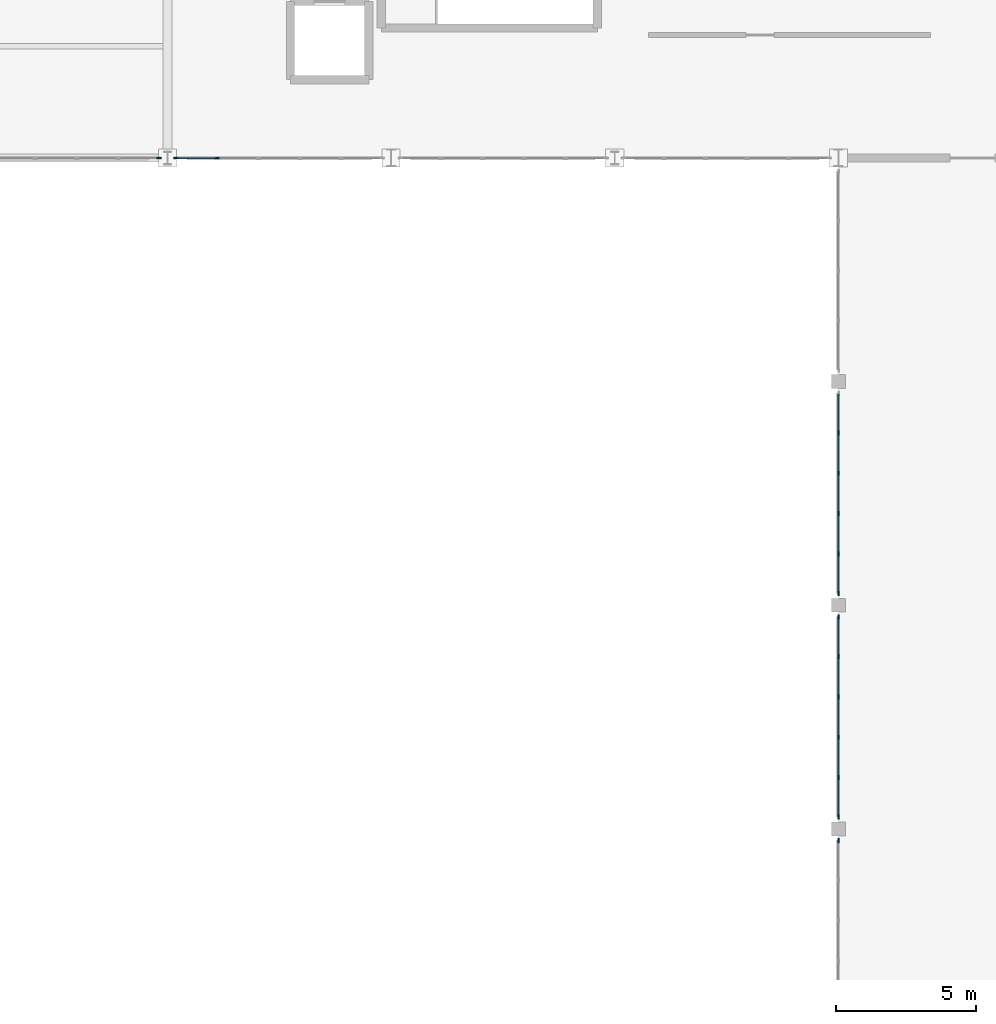
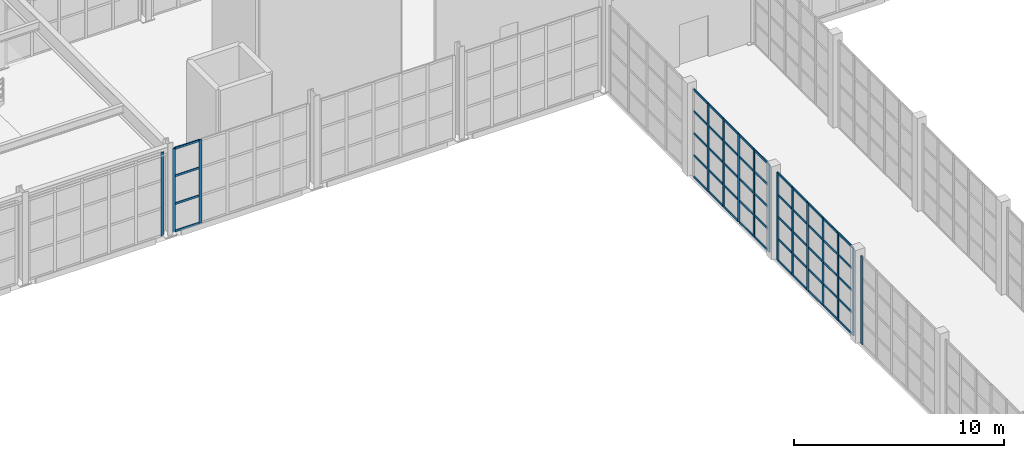
# One storey, part 25 of 82: 69 members, 5 elements without a shape of their own.
"""IFC4 building model written with IfcOpenShell, lengths in metres."""

from ifc_helpers import new_model, si_unit, direction, frame, origin, origin_2d, place, context, subcontext, project, spatial, rectangle, extrude, material, material_profile, profile_set, type_object, element, aggregate, save


model = new_model("IFC4")

# Units and contexts
model_context = context("Model", 3, precision=1e-05, world=origin(), true_north=direction((0.0, 1.0)))
body_context = subcontext(model_context, "Body", "Model", "MODEL_VIEW")
ifc_project = project(units=[si_unit("LENGTHUNIT", "METRE"), si_unit("AREAUNIT", "SQUARE_METRE"), si_unit("VOLUMEUNIT", "CUBIC_METRE"), si_unit("PLANEANGLEUNIT", "RADIAN"), si_unit("MASSUNIT", "GRAM", prefix="KILO")], contexts=[model_context])

# Site, building, storey
site_placement = place(None, origin())
site = spatial("IfcSite", under=ifc_project, at=site_placement, CompositionType="ELEMENT")
building_placement = place(site_placement, origin())
building = spatial("IfcBuilding", under=site, at=building_placement, Name="Serraluz Foothill Cableway Terminal", CompositionType="ELEMENT")
storey_placement = place(building_placement, frame((0.0, 0.0, 9.60009765625)))
storey = spatial("IfcBuildingStorey", under=building, at=storey_placement, Name="L02", CompositionType="ELEMENT", Elevation=9.60009765625)

# Curtain wall, member
ifc_material = material(Name="Architectural bronze alloy C28000", Category="aluminium")
curtain_wall_type_1 = type_object("IfcCurtainWallType", Name="TYP-CW-640X440", PredefinedType="NOTDEFINED", material=ifc_material)
curtain_wall_1_placement = place(storey_placement, origin())
curtain_wall_1 = element("IfcCurtainWall", 1, at=curtain_wall_1_placement, inside=storey, type_object=curtain_wall_type_1, Name="Ribbed Glazed Curtain Wall CW-V1S-L02-88", PredefinedType="NOTDEFINED")
ifc_material_profile_1 = material_profile(ifc_material, rectangle(XDim=0.06005859375, YDim=0.159912109375, at=origin_2d()), Name="ALU MULLION 60x160")
ifc_profile_set_1 = profile_set([ifc_material_profile_1], Name="Architectural bronze alloy C28000")
member_type_1 = type_object("IfcMemberType", Name="TYP-CW-MUL-60X160", PredefinedType="MULLION", material=ifc_profile_set_1)
member_1_placement = place(storey_placement, frame((95.6884765625, 56.0, 0.0), z_axis=(0.0, 0.0, 1.0), x_axis=(0.0, -1.0, 0.0)))
member_1 = element("IfcMember", 2, at=member_1_placement, type_object=member_type_1, Name="CW-12 mullion 1", PredefinedType="MULLION", context=body_context, shape_type="SweptSolid", body=[
    extrude(rectangle(XDim=0.06005859375, YDim=0.159912109375, at=origin_2d()), origin(), (0.0, 0.0, 1.0), 4.849853515625),
])
aggregate(curtain_wall_1, [member_1])

# Curtain wall, members
curtain_wall_type_2 = type_object("IfcCurtainWallType", Name="TYP-CW-680X420", PredefinedType="NOTDEFINED", material=ifc_material)
curtain_wall_2_placement = place(storey_placement, origin())
curtain_wall_2 = element("IfcCurtainWall", 3, at=curtain_wall_2_placement, inside=storey, type_object=curtain_wall_type_2, Name="Ribbed Glazed Curtain Wall CW-V1S-L02-96", PredefinedType="NOTDEFINED")
member_2_placement = place(storey_placement, frame((97.7646484375, 56.0, 0.0), z_axis=(0.0, 0.0, 1.0), x_axis=(0.0, -1.0, 0.0)))
member_2 = element("IfcMember", 4, at=member_2_placement, type_object=member_type_1, Name="CW-13 mullion 5", PredefinedType="MULLION", context=body_context, shape_type="SweptSolid", body=[
    extrude(rectangle(XDim=0.06005859375, YDim=0.159912109375, at=origin_2d()), origin(), (0.0, 0.0, 1.0), 4.849853515625),
])
member_3_placement = place(storey_placement, frame((96.3115234375, 56.0, 0.0), z_axis=(0.0, 0.0, 1.0), x_axis=(0.0, -1.0, 0.0)))
member_3 = element("IfcMember", 5, at=member_3_placement, type_object=member_type_1, Name="CW-13 mullion 6", PredefinedType="MULLION", context=body_context, shape_type="SweptSolid", body=[
    extrude(rectangle(XDim=0.06005859375, YDim=0.159912109375, at=origin_2d()), origin(), (0.0, 0.0, 1.0), 4.849853515625),
])

# Curtain wall, member
curtain_wall_type_3 = type_object("IfcCurtainWallType", Name="TYP-CW-710X420", PredefinedType="NOTDEFINED", material=ifc_material)
curtain_wall_3_placement = place(storey_placement, origin())
curtain_wall_3 = element("IfcCurtainWall", 6, at=curtain_wall_3_placement, inside=storey, type_object=curtain_wall_type_3, Name="Ribbed Glazed Curtain Wall CW-CLW-L02-24", PredefinedType="NOTDEFINED")
member_4_placement = place(storey_placement, frame((120.0, 31.580078125, 0.0), z_axis=(0.0, 0.0, 1.0), x_axis=(-1.0, 0.0, 0.0)))
member_4 = element("IfcMember", 7, at=member_4_placement, type_object=member_type_1, Name="CW-01 mullion 6", PredefinedType="MULLION", context=body_context, shape_type="SweptSolid", body=[
    extrude(rectangle(XDim=0.06005859375, YDim=0.159912109375, at=origin_2d()), origin(), (0.0, 0.0, 1.0), 5.099853515625),
])
aggregate(curtain_wall_3, [member_4])

# Curtain wall, members
curtain_wall_4_placement = place(storey_placement, origin())
curtain_wall_4 = element("IfcCurtainWall", 8, at=curtain_wall_4_placement, inside=storey, type_object=curtain_wall_type_3, Name="Ribbed Glazed Curtain Wall CW-CLW-L02-32", PredefinedType="NOTDEFINED")
member_5_placement = place(storey_placement, frame((120.0, 32.419921875, 0.0), z_axis=(0.0, 0.0, 1.0), x_axis=(-1.0, 0.0, 0.0)))
member_5 = element("IfcMember", 9, at=member_5_placement, type_object=member_type_1, Name="CW-01 mullion 1", PredefinedType="MULLION", context=body_context, shape_type="SweptSolid", body=[
    extrude(rectangle(XDim=0.06005859375, YDim=0.159912109375, at=origin_2d()), origin(), (0.0, 0.0, 1.0), 5.099853515625),
])
member_6_placement = place(storey_placement, frame((120.0, 33.833984375, 0.0), z_axis=(0.0, 0.0, 1.0), x_axis=(-1.0, 0.0, 0.0)))
member_6 = element("IfcMember", 10, at=member_6_placement, type_object=member_type_1, Name="CW-01 mullion 2", PredefinedType="MULLION", context=body_context, shape_type="SweptSolid", body=[
    extrude(rectangle(XDim=0.06005859375, YDim=0.159912109375, at=origin_2d()), origin(), (0.0, 0.0, 1.0), 5.099853515625),
])
member_7_placement = place(storey_placement, frame((120.0, 35.278076171875, 0.0), z_axis=(0.0, 0.0, 1.0), x_axis=(-1.0, 0.0, 0.0)))
member_7 = element("IfcMember", 11, at=member_7_placement, type_object=member_type_1, Name="CW-01 mullion 3", PredefinedType="MULLION", context=body_context, shape_type="SweptSolid", body=[
    extrude(rectangle(XDim=0.06005859375, YDim=0.159912109375, at=origin_2d()), origin(), (0.0, 0.0, 1.0), 5.099853515625),
])
member_8_placement = place(storey_placement, frame((120.0, 36.721923828125, 0.0), z_axis=(0.0, 0.0, 1.0), x_axis=(-1.0, 0.0, 0.0)))
member_8 = element("IfcMember", 12, at=member_8_placement, type_object=member_type_1, Name="CW-01 mullion 4", PredefinedType="MULLION", context=body_context, shape_type="SweptSolid", body=[
    extrude(rectangle(XDim=0.06005859375, YDim=0.159912109375, at=origin_2d()), origin(), (0.0, 0.0, 1.0), 5.099853515625),
])
member_9_placement = place(storey_placement, frame((120.0, 38.166015625, 0.0), z_axis=(0.0, 0.0, 1.0), x_axis=(-1.0, 0.0, 0.0)))
member_9 = element("IfcMember", 13, at=member_9_placement, type_object=member_type_1, Name="CW-01 mullion 5", PredefinedType="MULLION", context=body_context, shape_type="SweptSolid", body=[
    extrude(rectangle(XDim=0.06005859375, YDim=0.159912109375, at=origin_2d()), origin(), (0.0, 0.0, 1.0), 5.099853515625),
])
member_10_placement = place(storey_placement, frame((120.0, 39.580078125, 0.0), z_axis=(0.0, 0.0, 1.0), x_axis=(-1.0, 0.0, 0.0)))
member_10 = element("IfcMember", 14, at=member_10_placement, type_object=member_type_1, Name="CW-01 mullion 6", PredefinedType="MULLION", context=body_context, shape_type="SweptSolid", body=[
    extrude(rectangle(XDim=0.06005859375, YDim=0.159912109375, at=origin_2d()), origin(), (0.0, 0.0, 1.0), 5.099853515625),
])

curtain_wall_5_placement = place(storey_placement, origin())
curtain_wall_5 = element("IfcCurtainWall", 15, at=curtain_wall_5_placement, inside=storey, type_object=curtain_wall_type_3, Name="Ribbed Glazed Curtain Wall CW-CLW-L02-40", PredefinedType="NOTDEFINED")
member_11_placement = place(storey_placement, frame((120.0, 40.419921875, 0.0), z_axis=(0.0, 0.0, 1.0), x_axis=(-1.0, 0.0, 0.0)))
member_11 = element("IfcMember", 16, at=member_11_placement, type_object=member_type_1, Name="CW-01 mullion 1", PredefinedType="MULLION", context=body_context, shape_type="SweptSolid", body=[
    extrude(rectangle(XDim=0.06005859375, YDim=0.159912109375, at=origin_2d()), origin(), (0.0, 0.0, 1.0), 5.099853515625),
])
member_12_placement = place(storey_placement, frame((120.0, 41.833984375, 0.0), z_axis=(0.0, 0.0, 1.0), x_axis=(-1.0, 0.0, 0.0)))
member_12 = element("IfcMember", 17, at=member_12_placement, type_object=member_type_1, Name="CW-01 mullion 2", PredefinedType="MULLION", context=body_context, shape_type="SweptSolid", body=[
    extrude(rectangle(XDim=0.06005859375, YDim=0.159912109375, at=origin_2d()), origin(), (0.0, 0.0, 1.0), 5.099853515625),
])
member_13_placement = place(storey_placement, frame((120.0, 43.278076171875, 0.0), z_axis=(0.0, 0.0, 1.0), x_axis=(-1.0, 0.0, 0.0)))
member_13 = element("IfcMember", 18, at=member_13_placement, type_object=member_type_1, Name="CW-01 mullion 3", PredefinedType="MULLION", context=body_context, shape_type="SweptSolid", body=[
    extrude(rectangle(XDim=0.06005859375, YDim=0.159912109375, at=origin_2d()), origin(), (0.0, 0.0, 1.0), 5.099853515625),
])
member_14_placement = place(storey_placement, frame((120.0, 44.721923828125, 0.0), z_axis=(0.0, 0.0, 1.0), x_axis=(-1.0, 0.0, 0.0)))
member_14 = element("IfcMember", 19, at=member_14_placement, type_object=member_type_1, Name="CW-01 mullion 4", PredefinedType="MULLION", context=body_context, shape_type="SweptSolid", body=[
    extrude(rectangle(XDim=0.06005859375, YDim=0.159912109375, at=origin_2d()), origin(), (0.0, 0.0, 1.0), 5.099853515625),
])
member_15_placement = place(storey_placement, frame((120.0, 46.166015625, 0.0), z_axis=(0.0, 0.0, 1.0), x_axis=(-1.0, 0.0, 0.0)))
member_15 = element("IfcMember", 20, at=member_15_placement, type_object=member_type_1, Name="CW-01 mullion 5", PredefinedType="MULLION", context=body_context, shape_type="SweptSolid", body=[
    extrude(rectangle(XDim=0.06005859375, YDim=0.159912109375, at=origin_2d()), origin(), (0.0, 0.0, 1.0), 5.099853515625),
])

# Member
ifc_material_profile_2 = material_profile(ifc_material, rectangle(XDim=0.06005859375, YDim=0.1201171875, at=origin_2d()), Name="ALU TRANSOM 60x120")
ifc_profile_set_2 = profile_set([ifc_material_profile_2], Name="Architectural bronze alloy C28000")
member_type_2 = type_object("IfcMemberType", Name="TYP-CW-TRN-60X120", PredefinedType="USERDEFINED", material=ifc_profile_set_2)
member_16_placement = place(storey_placement, frame((97.734619140625, 56.0, 0.02978515625), z_axis=(-1.0, 0.0, 0.0), x_axis=(0.0, -1.0, 0.0)))
member_16 = element("IfcMember", 21, at=member_16_placement, type_object=member_type_2, Name="CW-13 transom 5.1", ObjectType="TRANSOM", PredefinedType="USERDEFINED", context=body_context, shape_type="SweptSolid", body=[
    extrude(rectangle(XDim=0.06005859375, YDim=0.1201171875, at=origin_2d()), origin(), (0.0, 0.0, 1.0), 1.39306640625),
])

member_17_placement = place(storey_placement, frame((97.734619140625, 56.0, 1.61669921875), z_axis=(-1.0, 0.0, 0.0), x_axis=(0.0, -1.0, 0.0)))
member_17 = element("IfcMember", 22, at=member_17_placement, type_object=member_type_2, Name="CW-13 transom 5.2", ObjectType="TRANSOM", PredefinedType="USERDEFINED", context=body_context, shape_type="SweptSolid", body=[
    extrude(rectangle(XDim=0.06005859375, YDim=0.1201171875, at=origin_2d()), origin(), (0.0, 0.0, 1.0), 1.39306640625),
])

member_18_placement = place(storey_placement, frame((97.734619140625, 56.0, 3.233154296875), z_axis=(-1.0, 0.0, 0.0), x_axis=(0.0, -1.0, 0.0)))
member_18 = element("IfcMember", 23, at=member_18_placement, type_object=member_type_2, Name="CW-13 transom 5.3", ObjectType="TRANSOM", PredefinedType="USERDEFINED", context=body_context, shape_type="SweptSolid", body=[
    extrude(rectangle(XDim=0.06005859375, YDim=0.1201171875, at=origin_2d()), origin(), (0.0, 0.0, 1.0), 1.39306640625),
])

member_19_placement = place(storey_placement, frame((97.734619140625, 56.0, 4.81982421875), z_axis=(-1.0, 0.0, 0.0), x_axis=(0.0, -1.0, 0.0)))
member_19 = element("IfcMember", 24, at=member_19_placement, type_object=member_type_2, Name="CW-13 transom 5.4", ObjectType="TRANSOM", PredefinedType="USERDEFINED", context=body_context, shape_type="SweptSolid", body=[
    extrude(rectangle(XDim=0.06005859375, YDim=0.1201171875, at=origin_2d()), origin(), (0.0, 0.0, 1.0), 1.39306640625),
])

aggregate(curtain_wall_2, [member_2, member_3, member_16, member_17, member_18, member_19])

member_20_placement = place(storey_placement, frame((120.0, 32.449951171875, 0.02978515625), z_axis=(0.0, 1.0, 0.0), x_axis=(-1.0, 0.0, 0.0)))
member_20 = element("IfcMember", 25, at=member_20_placement, type_object=member_type_2, Name="CW-01 transom 1.1", ObjectType="TRANSOM", PredefinedType="USERDEFINED", context=body_context, shape_type="SweptSolid", body=[
    extrude(rectangle(XDim=0.06005859375, YDim=0.1201171875, at=origin_2d()), origin(), (0.0, 0.0, 1.0), 1.35400390625),
])

member_21_placement = place(storey_placement, frame((120.0, 32.449951171875, 1.27490234375), z_axis=(0.0, 1.0, 0.0), x_axis=(-1.0, 0.0, 0.0)))
member_21 = element("IfcMember", 26, at=member_21_placement, type_object=member_type_2, Name="CW-01 transom 1.2", ObjectType="TRANSOM", PredefinedType="USERDEFINED", context=body_context, shape_type="SweptSolid", body=[
    extrude(rectangle(XDim=0.06005859375, YDim=0.1201171875, at=origin_2d()), origin(), (0.0, 0.0, 1.0), 1.35400390625),
])

member_22_placement = place(storey_placement, frame((120.0, 32.449951171875, 2.5498046875), z_axis=(0.0, 1.0, 0.0), x_axis=(-1.0, 0.0, 0.0)))
member_22 = element("IfcMember", 27, at=member_22_placement, type_object=member_type_2, Name="CW-01 transom 1.3", ObjectType="TRANSOM", PredefinedType="USERDEFINED", context=body_context, shape_type="SweptSolid", body=[
    extrude(rectangle(XDim=0.06005859375, YDim=0.1201171875, at=origin_2d()), origin(), (0.0, 0.0, 1.0), 1.35400390625),
])

member_23_placement = place(storey_placement, frame((120.0, 32.449951171875, 3.824951171875), z_axis=(0.0, 1.0, 0.0), x_axis=(-1.0, 0.0, 0.0)))
member_23 = element("IfcMember", 28, at=member_23_placement, type_object=member_type_2, Name="CW-01 transom 1.4", ObjectType="TRANSOM", PredefinedType="USERDEFINED", context=body_context, shape_type="SweptSolid", body=[
    extrude(rectangle(XDim=0.06005859375, YDim=0.1201171875, at=origin_2d()), origin(), (0.0, 0.0, 1.0), 1.35400390625),
])

member_24_placement = place(storey_placement, frame((120.0, 32.449951171875, 5.06982421875), z_axis=(0.0, 1.0, 0.0), x_axis=(-1.0, 0.0, 0.0)))
member_24 = element("IfcMember", 29, at=member_24_placement, type_object=member_type_2, Name="CW-01 transom 1.5", ObjectType="TRANSOM", PredefinedType="USERDEFINED", context=body_context, shape_type="SweptSolid", body=[
    extrude(rectangle(XDim=0.06005859375, YDim=0.1201171875, at=origin_2d()), origin(), (0.0, 0.0, 1.0), 1.35400390625),
])

member_25_placement = place(storey_placement, frame((120.0, 33.864013671875, 0.02978515625), z_axis=(0.0, 1.0, 0.0), x_axis=(-1.0, 0.0, 0.0)))
member_25 = element("IfcMember", 30, at=member_25_placement, type_object=member_type_2, Name="CW-01 transom 2.1", ObjectType="TRANSOM", PredefinedType="USERDEFINED", context=body_context, shape_type="SweptSolid", body=[
    extrude(rectangle(XDim=0.06005859375, YDim=0.1201171875, at=origin_2d()), origin(), (0.0, 0.0, 1.0), 1.384033203125),
])

member_26_placement = place(storey_placement, frame((120.0, 33.864013671875, 1.27490234375), z_axis=(0.0, 1.0, 0.0), x_axis=(-1.0, 0.0, 0.0)))
member_26 = element("IfcMember", 31, at=member_26_placement, type_object=member_type_2, Name="CW-01 transom 2.2", ObjectType="TRANSOM", PredefinedType="USERDEFINED", context=body_context, shape_type="SweptSolid", body=[
    extrude(rectangle(XDim=0.06005859375, YDim=0.1201171875, at=origin_2d()), origin(), (0.0, 0.0, 1.0), 1.384033203125),
])

member_27_placement = place(storey_placement, frame((120.0, 33.864013671875, 2.5498046875), z_axis=(0.0, 1.0, 0.0), x_axis=(-1.0, 0.0, 0.0)))
member_27 = element("IfcMember", 32, at=member_27_placement, type_object=member_type_2, Name="CW-01 transom 2.3", ObjectType="TRANSOM", PredefinedType="USERDEFINED", context=body_context, shape_type="SweptSolid", body=[
    extrude(rectangle(XDim=0.06005859375, YDim=0.1201171875, at=origin_2d()), origin(), (0.0, 0.0, 1.0), 1.384033203125),
])

member_28_placement = place(storey_placement, frame((120.0, 33.864013671875, 3.824951171875), z_axis=(0.0, 1.0, 0.0), x_axis=(-1.0, 0.0, 0.0)))
member_28 = element("IfcMember", 33, at=member_28_placement, type_object=member_type_2, Name="CW-01 transom 2.4", ObjectType="TRANSOM", PredefinedType="USERDEFINED", context=body_context, shape_type="SweptSolid", body=[
    extrude(rectangle(XDim=0.06005859375, YDim=0.1201171875, at=origin_2d()), origin(), (0.0, 0.0, 1.0), 1.384033203125),
])

member_29_placement = place(storey_placement, frame((120.0, 33.864013671875, 5.06982421875), z_axis=(0.0, 1.0, 0.0), x_axis=(-1.0, 0.0, 0.0)))
member_29 = element("IfcMember", 34, at=member_29_placement, type_object=member_type_2, Name="CW-01 transom 2.5", ObjectType="TRANSOM", PredefinedType="USERDEFINED", context=body_context, shape_type="SweptSolid", body=[
    extrude(rectangle(XDim=0.06005859375, YDim=0.1201171875, at=origin_2d()), origin(), (0.0, 0.0, 1.0), 1.384033203125),
])

member_30_placement = place(storey_placement, frame((120.0, 35.30810546875, 0.02978515625), z_axis=(0.0, 1.0, 0.0), x_axis=(-1.0, 0.0, 0.0)))
member_30 = element("IfcMember", 35, at=member_30_placement, type_object=member_type_2, Name="CW-01 transom 3.1", ObjectType="TRANSOM", PredefinedType="USERDEFINED", context=body_context, shape_type="SweptSolid", body=[
    extrude(rectangle(XDim=0.06005859375, YDim=0.1201171875, at=origin_2d()), origin(), (0.0, 0.0, 1.0), 1.3837890625),
])

member_31_placement = place(storey_placement, frame((120.0, 35.30810546875, 1.27490234375), z_axis=(0.0, 1.0, 0.0), x_axis=(-1.0, 0.0, 0.0)))
member_31 = element("IfcMember", 36, at=member_31_placement, type_object=member_type_2, Name="CW-01 transom 3.2", ObjectType="TRANSOM", PredefinedType="USERDEFINED", context=body_context, shape_type="SweptSolid", body=[
    extrude(rectangle(XDim=0.06005859375, YDim=0.1201171875, at=origin_2d()), origin(), (0.0, 0.0, 1.0), 1.3837890625),
])

member_32_placement = place(storey_placement, frame((120.0, 35.30810546875, 2.5498046875), z_axis=(0.0, 1.0, 0.0), x_axis=(-1.0, 0.0, 0.0)))
member_32 = element("IfcMember", 37, at=member_32_placement, type_object=member_type_2, Name="CW-01 transom 3.3", ObjectType="TRANSOM", PredefinedType="USERDEFINED", context=body_context, shape_type="SweptSolid", body=[
    extrude(rectangle(XDim=0.06005859375, YDim=0.1201171875, at=origin_2d()), origin(), (0.0, 0.0, 1.0), 1.3837890625),
])

member_33_placement = place(storey_placement, frame((120.0, 35.30810546875, 3.824951171875), z_axis=(0.0, 1.0, 0.0), x_axis=(-1.0, 0.0, 0.0)))
member_33 = element("IfcMember", 38, at=member_33_placement, type_object=member_type_2, Name="CW-01 transom 3.4", ObjectType="TRANSOM", PredefinedType="USERDEFINED", context=body_context, shape_type="SweptSolid", body=[
    extrude(rectangle(XDim=0.06005859375, YDim=0.1201171875, at=origin_2d()), origin(), (0.0, 0.0, 1.0), 1.3837890625),
])

member_34_placement = place(storey_placement, frame((120.0, 35.30810546875, 5.06982421875), z_axis=(0.0, 1.0, 0.0), x_axis=(-1.0, 0.0, 0.0)))
member_34 = element("IfcMember", 39, at=member_34_placement, type_object=member_type_2, Name="CW-01 transom 3.5", ObjectType="TRANSOM", PredefinedType="USERDEFINED", context=body_context, shape_type="SweptSolid", body=[
    extrude(rectangle(XDim=0.06005859375, YDim=0.1201171875, at=origin_2d()), origin(), (0.0, 0.0, 1.0), 1.3837890625),
])

member_35_placement = place(storey_placement, frame((120.0, 36.751953125, 0.02978515625), z_axis=(0.0, 1.0, 0.0), x_axis=(-1.0, 0.0, 0.0)))
member_35 = element("IfcMember", 40, at=member_35_placement, type_object=member_type_2, Name="CW-01 transom 4.1", ObjectType="TRANSOM", PredefinedType="USERDEFINED", context=body_context, shape_type="SweptSolid", body=[
    extrude(rectangle(XDim=0.06005859375, YDim=0.1201171875, at=origin_2d()), origin(), (0.0, 0.0, 1.0), 1.384033203125),
])

member_36_placement = place(storey_placement, frame((120.0, 36.751953125, 1.27490234375), z_axis=(0.0, 1.0, 0.0), x_axis=(-1.0, 0.0, 0.0)))
member_36 = element("IfcMember", 41, at=member_36_placement, type_object=member_type_2, Name="CW-01 transom 4.2", ObjectType="TRANSOM", PredefinedType="USERDEFINED", context=body_context, shape_type="SweptSolid", body=[
    extrude(rectangle(XDim=0.06005859375, YDim=0.1201171875, at=origin_2d()), origin(), (0.0, 0.0, 1.0), 1.384033203125),
])

member_37_placement = place(storey_placement, frame((120.0, 36.751953125, 2.5498046875), z_axis=(0.0, 1.0, 0.0), x_axis=(-1.0, 0.0, 0.0)))
member_37 = element("IfcMember", 42, at=member_37_placement, type_object=member_type_2, Name="CW-01 transom 4.3", ObjectType="TRANSOM", PredefinedType="USERDEFINED", context=body_context, shape_type="SweptSolid", body=[
    extrude(rectangle(XDim=0.06005859375, YDim=0.1201171875, at=origin_2d()), origin(), (0.0, 0.0, 1.0), 1.384033203125),
])

member_38_placement = place(storey_placement, frame((120.0, 36.751953125, 3.824951171875), z_axis=(0.0, 1.0, 0.0), x_axis=(-1.0, 0.0, 0.0)))
member_38 = element("IfcMember", 43, at=member_38_placement, type_object=member_type_2, Name="CW-01 transom 4.4", ObjectType="TRANSOM", PredefinedType="USERDEFINED", context=body_context, shape_type="SweptSolid", body=[
    extrude(rectangle(XDim=0.06005859375, YDim=0.1201171875, at=origin_2d()), origin(), (0.0, 0.0, 1.0), 1.384033203125),
])

member_39_placement = place(storey_placement, frame((120.0, 36.751953125, 5.06982421875), z_axis=(0.0, 1.0, 0.0), x_axis=(-1.0, 0.0, 0.0)))
member_39 = element("IfcMember", 44, at=member_39_placement, type_object=member_type_2, Name="CW-01 transom 4.5", ObjectType="TRANSOM", PredefinedType="USERDEFINED", context=body_context, shape_type="SweptSolid", body=[
    extrude(rectangle(XDim=0.06005859375, YDim=0.1201171875, at=origin_2d()), origin(), (0.0, 0.0, 1.0), 1.384033203125),
])

member_40_placement = place(storey_placement, frame((120.0, 38.196044921875, 0.02978515625), z_axis=(0.0, 1.0, 0.0), x_axis=(-1.0, 0.0, 0.0)))
member_40 = element("IfcMember", 45, at=member_40_placement, type_object=member_type_2, Name="CW-01 transom 5.1", ObjectType="TRANSOM", PredefinedType="USERDEFINED", context=body_context, shape_type="SweptSolid", body=[
    extrude(rectangle(XDim=0.06005859375, YDim=0.1201171875, at=origin_2d()), origin(), (0.0, 0.0, 1.0), 1.35400390625),
])

member_41_placement = place(storey_placement, frame((120.0, 38.196044921875, 1.27490234375), z_axis=(0.0, 1.0, 0.0), x_axis=(-1.0, 0.0, 0.0)))
member_41 = element("IfcMember", 46, at=member_41_placement, type_object=member_type_2, Name="CW-01 transom 5.2", ObjectType="TRANSOM", PredefinedType="USERDEFINED", context=body_context, shape_type="SweptSolid", body=[
    extrude(rectangle(XDim=0.06005859375, YDim=0.1201171875, at=origin_2d()), origin(), (0.0, 0.0, 1.0), 1.35400390625),
])

member_42_placement = place(storey_placement, frame((120.0, 38.196044921875, 2.5498046875), z_axis=(0.0, 1.0, 0.0), x_axis=(-1.0, 0.0, 0.0)))
member_42 = element("IfcMember", 47, at=member_42_placement, type_object=member_type_2, Name="CW-01 transom 5.3", ObjectType="TRANSOM", PredefinedType="USERDEFINED", context=body_context, shape_type="SweptSolid", body=[
    extrude(rectangle(XDim=0.06005859375, YDim=0.1201171875, at=origin_2d()), origin(), (0.0, 0.0, 1.0), 1.35400390625),
])

member_43_placement = place(storey_placement, frame((120.0, 38.196044921875, 3.824951171875), z_axis=(0.0, 1.0, 0.0), x_axis=(-1.0, 0.0, 0.0)))
member_43 = element("IfcMember", 48, at=member_43_placement, type_object=member_type_2, Name="CW-01 transom 5.4", ObjectType="TRANSOM", PredefinedType="USERDEFINED", context=body_context, shape_type="SweptSolid", body=[
    extrude(rectangle(XDim=0.06005859375, YDim=0.1201171875, at=origin_2d()), origin(), (0.0, 0.0, 1.0), 1.35400390625),
])

member_44_placement = place(storey_placement, frame((120.0, 38.196044921875, 5.06982421875), z_axis=(0.0, 1.0, 0.0), x_axis=(-1.0, 0.0, 0.0)))
member_44 = element("IfcMember", 49, at=member_44_placement, type_object=member_type_2, Name="CW-01 transom 5.5", ObjectType="TRANSOM", PredefinedType="USERDEFINED", context=body_context, shape_type="SweptSolid", body=[
    extrude(rectangle(XDim=0.06005859375, YDim=0.1201171875, at=origin_2d()), origin(), (0.0, 0.0, 1.0), 1.35400390625),
])

aggregate(curtain_wall_4, [member_5, member_6, member_7, member_8, member_9, member_10, member_20, member_21, member_22, member_23, member_24, member_25, member_26, member_27, member_28, member_29, member_30, member_31, member_32, member_33, member_34, member_35, member_36, member_37, member_38, member_39, member_40, member_41, member_42, member_43, member_44])

member_45_placement = place(storey_placement, frame((120.0, 40.449951171875, 0.02978515625), z_axis=(0.0, 1.0, 0.0), x_axis=(-1.0, 0.0, 0.0)))
member_45 = element("IfcMember", 50, at=member_45_placement, type_object=member_type_2, Name="CW-01 transom 1.1", ObjectType="TRANSOM", PredefinedType="USERDEFINED", context=body_context, shape_type="SweptSolid", body=[
    extrude(rectangle(XDim=0.06005859375, YDim=0.1201171875, at=origin_2d()), origin(), (0.0, 0.0, 1.0), 1.35400390625),
])

member_46_placement = place(storey_placement, frame((120.0, 40.449951171875, 1.27490234375), z_axis=(0.0, 1.0, 0.0), x_axis=(-1.0, 0.0, 0.0)))
member_46 = element("IfcMember", 51, at=member_46_placement, type_object=member_type_2, Name="CW-01 transom 1.2", ObjectType="TRANSOM", PredefinedType="USERDEFINED", context=body_context, shape_type="SweptSolid", body=[
    extrude(rectangle(XDim=0.06005859375, YDim=0.1201171875, at=origin_2d()), origin(), (0.0, 0.0, 1.0), 1.35400390625),
])

member_47_placement = place(storey_placement, frame((120.0, 40.449951171875, 2.5498046875), z_axis=(0.0, 1.0, 0.0), x_axis=(-1.0, 0.0, 0.0)))
member_47 = element("IfcMember", 52, at=member_47_placement, type_object=member_type_2, Name="CW-01 transom 1.3", ObjectType="TRANSOM", PredefinedType="USERDEFINED", context=body_context, shape_type="SweptSolid", body=[
    extrude(rectangle(XDim=0.06005859375, YDim=0.1201171875, at=origin_2d()), origin(), (0.0, 0.0, 1.0), 1.35400390625),
])

member_48_placement = place(storey_placement, frame((120.0, 40.449951171875, 3.824951171875), z_axis=(0.0, 1.0, 0.0), x_axis=(-1.0, 0.0, 0.0)))
member_48 = element("IfcMember", 53, at=member_48_placement, type_object=member_type_2, Name="CW-01 transom 1.4", ObjectType="TRANSOM", PredefinedType="USERDEFINED", context=body_context, shape_type="SweptSolid", body=[
    extrude(rectangle(XDim=0.06005859375, YDim=0.1201171875, at=origin_2d()), origin(), (0.0, 0.0, 1.0), 1.35400390625),
])

member_49_placement = place(storey_placement, frame((120.0, 40.449951171875, 5.06982421875), z_axis=(0.0, 1.0, 0.0), x_axis=(-1.0, 0.0, 0.0)))
member_49 = element("IfcMember", 54, at=member_49_placement, type_object=member_type_2, Name="CW-01 transom 1.5", ObjectType="TRANSOM", PredefinedType="USERDEFINED", context=body_context, shape_type="SweptSolid", body=[
    extrude(rectangle(XDim=0.06005859375, YDim=0.1201171875, at=origin_2d()), origin(), (0.0, 0.0, 1.0), 1.35400390625),
])

member_50_placement = place(storey_placement, frame((120.0, 41.864013671875, 0.02978515625), z_axis=(0.0, 1.0, 0.0), x_axis=(-1.0, 0.0, 0.0)))
member_50 = element("IfcMember", 55, at=member_50_placement, type_object=member_type_2, Name="CW-01 transom 2.1", ObjectType="TRANSOM", PredefinedType="USERDEFINED", context=body_context, shape_type="SweptSolid", body=[
    extrude(rectangle(XDim=0.06005859375, YDim=0.1201171875, at=origin_2d()), origin(), (0.0, 0.0, 1.0), 1.384033203125),
])

member_51_placement = place(storey_placement, frame((120.0, 41.864013671875, 1.27490234375), z_axis=(0.0, 1.0, 0.0), x_axis=(-1.0, 0.0, 0.0)))
member_51 = element("IfcMember", 56, at=member_51_placement, type_object=member_type_2, Name="CW-01 transom 2.2", ObjectType="TRANSOM", PredefinedType="USERDEFINED", context=body_context, shape_type="SweptSolid", body=[
    extrude(rectangle(XDim=0.06005859375, YDim=0.1201171875, at=origin_2d()), origin(), (0.0, 0.0, 1.0), 1.384033203125),
])

member_52_placement = place(storey_placement, frame((120.0, 41.864013671875, 2.5498046875), z_axis=(0.0, 1.0, 0.0), x_axis=(-1.0, 0.0, 0.0)))
member_52 = element("IfcMember", 57, at=member_52_placement, type_object=member_type_2, Name="CW-01 transom 2.3", ObjectType="TRANSOM", PredefinedType="USERDEFINED", context=body_context, shape_type="SweptSolid", body=[
    extrude(rectangle(XDim=0.06005859375, YDim=0.1201171875, at=origin_2d()), origin(), (0.0, 0.0, 1.0), 1.384033203125),
])

member_53_placement = place(storey_placement, frame((120.0, 41.864013671875, 3.824951171875), z_axis=(0.0, 1.0, 0.0), x_axis=(-1.0, 0.0, 0.0)))
member_53 = element("IfcMember", 58, at=member_53_placement, type_object=member_type_2, Name="CW-01 transom 2.4", ObjectType="TRANSOM", PredefinedType="USERDEFINED", context=body_context, shape_type="SweptSolid", body=[
    extrude(rectangle(XDim=0.06005859375, YDim=0.1201171875, at=origin_2d()), origin(), (0.0, 0.0, 1.0), 1.384033203125),
])

member_54_placement = place(storey_placement, frame((120.0, 41.864013671875, 5.06982421875), z_axis=(0.0, 1.0, 0.0), x_axis=(-1.0, 0.0, 0.0)))
member_54 = element("IfcMember", 59, at=member_54_placement, type_object=member_type_2, Name="CW-01 transom 2.5", ObjectType="TRANSOM", PredefinedType="USERDEFINED", context=body_context, shape_type="SweptSolid", body=[
    extrude(rectangle(XDim=0.06005859375, YDim=0.1201171875, at=origin_2d()), origin(), (0.0, 0.0, 1.0), 1.384033203125),
])

member_55_placement = place(storey_placement, frame((120.0, 43.30810546875, 0.02978515625), z_axis=(0.0, 1.0, 0.0), x_axis=(-1.0, 0.0, 0.0)))
member_55 = element("IfcMember", 60, at=member_55_placement, type_object=member_type_2, Name="CW-01 transom 3.1", ObjectType="TRANSOM", PredefinedType="USERDEFINED", context=body_context, shape_type="SweptSolid", body=[
    extrude(rectangle(XDim=0.06005859375, YDim=0.1201171875, at=origin_2d()), origin(), (0.0, 0.0, 1.0), 1.3837890625),
])

member_56_placement = place(storey_placement, frame((120.0, 43.30810546875, 1.27490234375), z_axis=(0.0, 1.0, 0.0), x_axis=(-1.0, 0.0, 0.0)))
member_56 = element("IfcMember", 61, at=member_56_placement, type_object=member_type_2, Name="CW-01 transom 3.2", ObjectType="TRANSOM", PredefinedType="USERDEFINED", context=body_context, shape_type="SweptSolid", body=[
    extrude(rectangle(XDim=0.06005859375, YDim=0.1201171875, at=origin_2d()), origin(), (0.0, 0.0, 1.0), 1.3837890625),
])

member_57_placement = place(storey_placement, frame((120.0, 43.30810546875, 2.5498046875), z_axis=(0.0, 1.0, 0.0), x_axis=(-1.0, 0.0, 0.0)))
member_57 = element("IfcMember", 62, at=member_57_placement, type_object=member_type_2, Name="CW-01 transom 3.3", ObjectType="TRANSOM", PredefinedType="USERDEFINED", context=body_context, shape_type="SweptSolid", body=[
    extrude(rectangle(XDim=0.06005859375, YDim=0.1201171875, at=origin_2d()), origin(), (0.0, 0.0, 1.0), 1.3837890625),
])

member_58_placement = place(storey_placement, frame((120.0, 43.30810546875, 3.824951171875), z_axis=(0.0, 1.0, 0.0), x_axis=(-1.0, 0.0, 0.0)))
member_58 = element("IfcMember", 63, at=member_58_placement, type_object=member_type_2, Name="CW-01 transom 3.4", ObjectType="TRANSOM", PredefinedType="USERDEFINED", context=body_context, shape_type="SweptSolid", body=[
    extrude(rectangle(XDim=0.06005859375, YDim=0.1201171875, at=origin_2d()), origin(), (0.0, 0.0, 1.0), 1.3837890625),
])

member_59_placement = place(storey_placement, frame((120.0, 43.30810546875, 5.06982421875), z_axis=(0.0, 1.0, 0.0), x_axis=(-1.0, 0.0, 0.0)))
member_59 = element("IfcMember", 64, at=member_59_placement, type_object=member_type_2, Name="CW-01 transom 3.5", ObjectType="TRANSOM", PredefinedType="USERDEFINED", context=body_context, shape_type="SweptSolid", body=[
    extrude(rectangle(XDim=0.06005859375, YDim=0.1201171875, at=origin_2d()), origin(), (0.0, 0.0, 1.0), 1.3837890625),
])

member_60_placement = place(storey_placement, frame((120.0, 44.751953125, 0.02978515625), z_axis=(0.0, 1.0, 0.0), x_axis=(-1.0, 0.0, 0.0)))
member_60 = element("IfcMember", 65, at=member_60_placement, type_object=member_type_2, Name="CW-01 transom 4.1", ObjectType="TRANSOM", PredefinedType="USERDEFINED", context=body_context, shape_type="SweptSolid", body=[
    extrude(rectangle(XDim=0.06005859375, YDim=0.1201171875, at=origin_2d()), origin(), (0.0, 0.0, 1.0), 1.384033203125),
])

member_61_placement = place(storey_placement, frame((120.0, 44.751953125, 1.27490234375), z_axis=(0.0, 1.0, 0.0), x_axis=(-1.0, 0.0, 0.0)))
member_61 = element("IfcMember", 66, at=member_61_placement, type_object=member_type_2, Name="CW-01 transom 4.2", ObjectType="TRANSOM", PredefinedType="USERDEFINED", context=body_context, shape_type="SweptSolid", body=[
    extrude(rectangle(XDim=0.06005859375, YDim=0.1201171875, at=origin_2d()), origin(), (0.0, 0.0, 1.0), 1.384033203125),
])

member_62_placement = place(storey_placement, frame((120.0, 44.751953125, 2.5498046875), z_axis=(0.0, 1.0, 0.0), x_axis=(-1.0, 0.0, 0.0)))
member_62 = element("IfcMember", 67, at=member_62_placement, type_object=member_type_2, Name="CW-01 transom 4.3", ObjectType="TRANSOM", PredefinedType="USERDEFINED", context=body_context, shape_type="SweptSolid", body=[
    extrude(rectangle(XDim=0.06005859375, YDim=0.1201171875, at=origin_2d()), origin(), (0.0, 0.0, 1.0), 1.384033203125),
])

member_63_placement = place(storey_placement, frame((120.0, 44.751953125, 3.824951171875), z_axis=(0.0, 1.0, 0.0), x_axis=(-1.0, 0.0, 0.0)))
member_63 = element("IfcMember", 68, at=member_63_placement, type_object=member_type_2, Name="CW-01 transom 4.4", ObjectType="TRANSOM", PredefinedType="USERDEFINED", context=body_context, shape_type="SweptSolid", body=[
    extrude(rectangle(XDim=0.06005859375, YDim=0.1201171875, at=origin_2d()), origin(), (0.0, 0.0, 1.0), 1.384033203125),
])

member_64_placement = place(storey_placement, frame((120.0, 44.751953125, 5.06982421875), z_axis=(0.0, 1.0, 0.0), x_axis=(-1.0, 0.0, 0.0)))
member_64 = element("IfcMember", 69, at=member_64_placement, type_object=member_type_2, Name="CW-01 transom 4.5", ObjectType="TRANSOM", PredefinedType="USERDEFINED", context=body_context, shape_type="SweptSolid", body=[
    extrude(rectangle(XDim=0.06005859375, YDim=0.1201171875, at=origin_2d()), origin(), (0.0, 0.0, 1.0), 1.384033203125),
])

member_65_placement = place(storey_placement, frame((120.0, 46.196044921875, 0.02978515625), z_axis=(0.0, 1.0, 0.0), x_axis=(-1.0, 0.0, 0.0)))
member_65 = element("IfcMember", 70, at=member_65_placement, type_object=member_type_2, Name="CW-01 transom 5.1", ObjectType="TRANSOM", PredefinedType="USERDEFINED", context=body_context, shape_type="SweptSolid", body=[
    extrude(rectangle(XDim=0.06005859375, YDim=0.1201171875, at=origin_2d()), origin(), (0.0, 0.0, 1.0), 1.35400390625),
])

member_66_placement = place(storey_placement, frame((120.0, 46.196044921875, 1.27490234375), z_axis=(0.0, 1.0, 0.0), x_axis=(-1.0, 0.0, 0.0)))
member_66 = element("IfcMember", 71, at=member_66_placement, type_object=member_type_2, Name="CW-01 transom 5.2", ObjectType="TRANSOM", PredefinedType="USERDEFINED", context=body_context, shape_type="SweptSolid", body=[
    extrude(rectangle(XDim=0.06005859375, YDim=0.1201171875, at=origin_2d()), origin(), (0.0, 0.0, 1.0), 1.35400390625),
])

member_67_placement = place(storey_placement, frame((120.0, 46.196044921875, 2.5498046875), z_axis=(0.0, 1.0, 0.0), x_axis=(-1.0, 0.0, 0.0)))
member_67 = element("IfcMember", 72, at=member_67_placement, type_object=member_type_2, Name="CW-01 transom 5.3", ObjectType="TRANSOM", PredefinedType="USERDEFINED", context=body_context, shape_type="SweptSolid", body=[
    extrude(rectangle(XDim=0.06005859375, YDim=0.1201171875, at=origin_2d()), origin(), (0.0, 0.0, 1.0), 1.35400390625),
])

member_68_placement = place(storey_placement, frame((120.0, 46.196044921875, 3.824951171875), z_axis=(0.0, 1.0, 0.0), x_axis=(-1.0, 0.0, 0.0)))
member_68 = element("IfcMember", 73, at=member_68_placement, type_object=member_type_2, Name="CW-01 transom 5.4", ObjectType="TRANSOM", PredefinedType="USERDEFINED", context=body_context, shape_type="SweptSolid", body=[
    extrude(rectangle(XDim=0.06005859375, YDim=0.1201171875, at=origin_2d()), origin(), (0.0, 0.0, 1.0), 1.35400390625),
])

member_69_placement = place(storey_placement, frame((120.0, 46.196044921875, 5.06982421875), z_axis=(0.0, 1.0, 0.0), x_axis=(-1.0, 0.0, 0.0)))
member_69 = element("IfcMember", 74, at=member_69_placement, type_object=member_type_2, Name="CW-01 transom 5.5", ObjectType="TRANSOM", PredefinedType="USERDEFINED", context=body_context, shape_type="SweptSolid", body=[
    extrude(rectangle(XDim=0.06005859375, YDim=0.1201171875, at=origin_2d()), origin(), (0.0, 0.0, 1.0), 1.35400390625),
])

aggregate(curtain_wall_5, [member_11, member_12, member_13, member_14, member_15, member_45, member_46, member_47, member_48, member_49, member_50, member_51, member_52, member_53, member_54, member_55, member_56, member_57, member_58, member_59, member_60, member_61, member_62, member_63, member_64, member_65, member_66, member_67, member_68, member_69])

save(model, "model.ifc")
